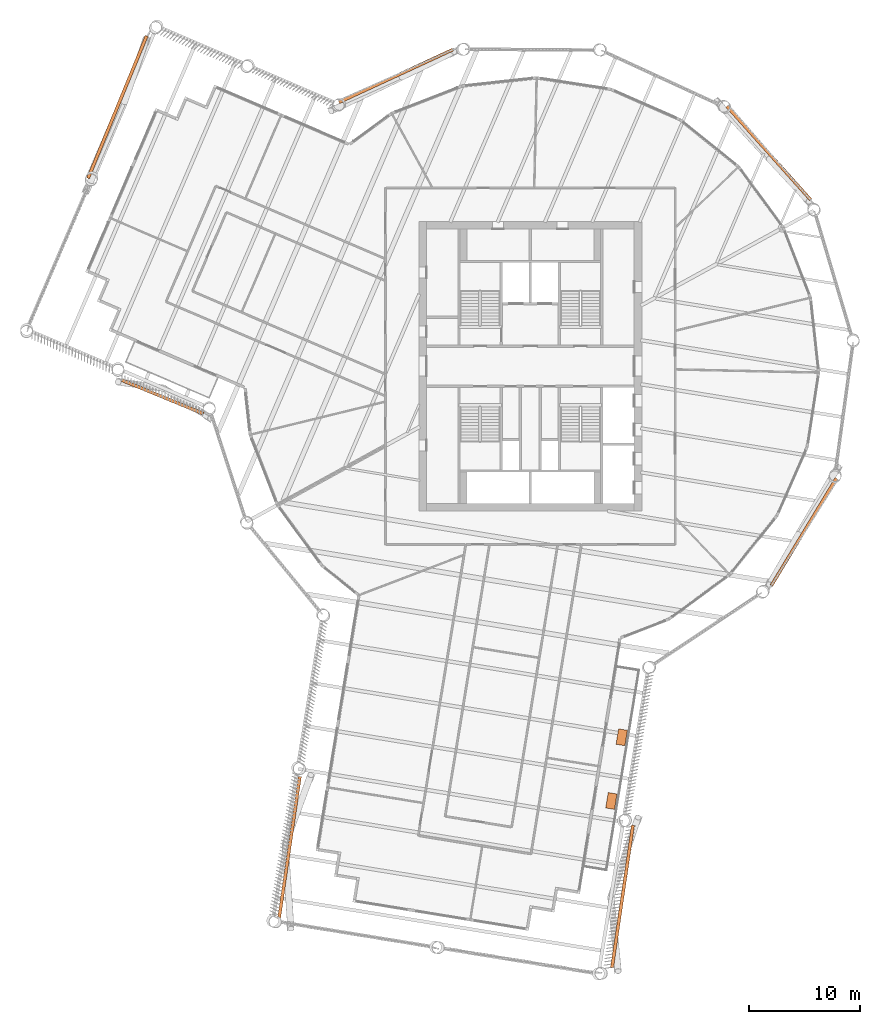
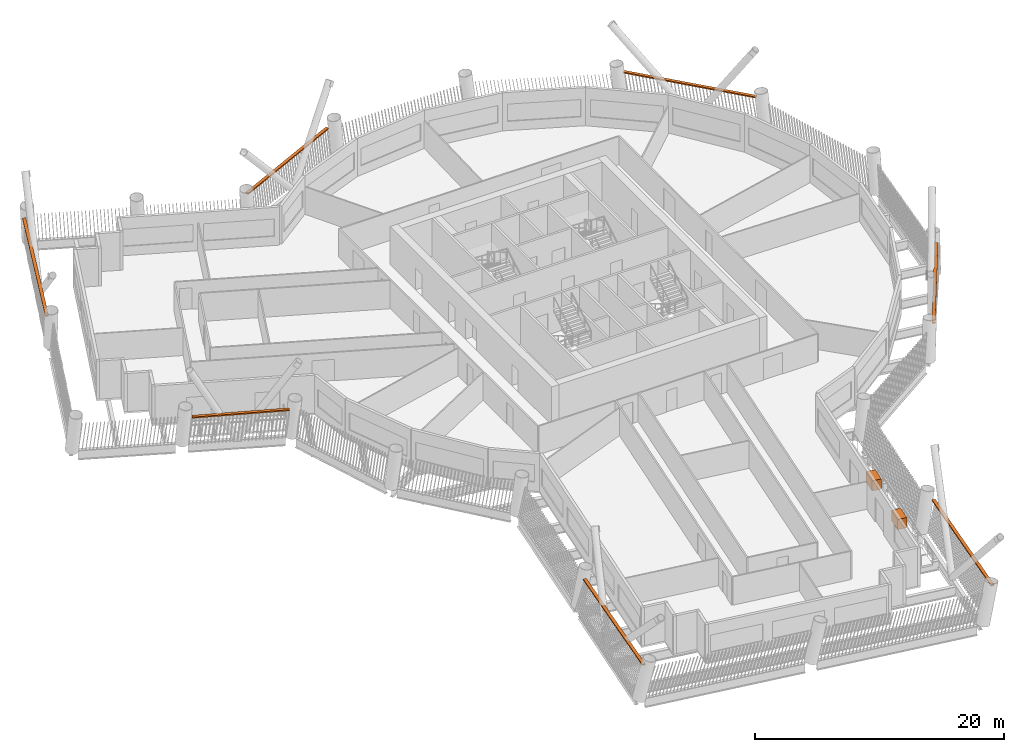
# One storey, part 22 of 22: 9 proxies.
"""IFC4 building model written with IfcOpenShell, lengths in metres."""

from ifc_helpers import new_model, si_unit, direction, frame, origin, origin_2d, place, context, subcontext, project, spatial, rectangle, extrude, material, type_object, element, save


model = new_model("IFC4")

# Units and contexts
model_context = context("Model", 3, precision=1e-05, world=origin(), true_north=direction((0.0, 1.0)))
body_context = subcontext(model_context, "Body", "Model", "MODEL_VIEW")
ifc_project = project(units=[si_unit("LENGTHUNIT", "METRE"), si_unit("AREAUNIT", "SQUARE_METRE"), si_unit("VOLUMEUNIT", "CUBIC_METRE"), si_unit("PLANEANGLEUNIT", "RADIAN"), si_unit("MASSUNIT", "GRAM", prefix="KILO")], contexts=[model_context])

# Site, building, storey
site_placement = place(None, origin())
site = spatial("IfcSite", under=ifc_project, at=site_placement, CompositionType="ELEMENT")
building_placement = place(site_placement, origin())
building = spatial("IfcBuilding", under=site, at=building_placement, Name="Tarsis Ring Headquarters", CompositionType="ELEMENT")
storey_placement = place(building_placement, frame((0.0, 0.0, 186.60009765625)))
storey = spatial("IfcBuildingStorey", under=building, at=storey_placement, Name="L43", CompositionType="ELEMENT", Elevation=186.60009765625)

# Proxies
ifc_material_1 = material(Name="Structural steel S355", Category="steel")
building_element_proxy_type_1 = type_object("IfcBuildingElementProxyType", Name="Screen bracket plate", PredefinedType="USERDEFINED", material=ifc_material_1)
for number, where, z_axis, x_axis, name in (
    (1, (-21.6005859375, -43.1669921875, 2.949951171875), (0.0, 0.0, 1.0), (-0.145392333375, -0.989374079606, 0.0), "Screen bracket L43-02"),
    (2, (8.2685546875, -47.556396484375, 2.949951171875), (0.0, 0.0, 1.0), (0.145392316107, 0.989374082143, 0.0), "Screen bracket L43-05"),
):
    element("IfcBuildingElementProxy", number, at=place(storey_placement, frame(where, z_axis=z_axis, x_axis=x_axis)), inside=storey, type_object=building_element_proxy_type_1, Name=name, ObjectType="Bracket", PredefinedType="USERDEFINED", context=body_context, shape_type="SweptSolid", body=[
        extrude(rectangle(XDim=12.90234375, YDim=0.280029296875, at=origin_2d()), origin(), (0.0, 0.0, 1.0), 0.1201171875),
    ])
for number, where, z_axis, x_axis, name in (
    (3, (24.53662109375, -14.869384765625, 2.949951171875), (0.0, 0.0, 1.0), (0.518269225296, 0.855217522103, 0.0), "Screen bracket L43-08"),
    (4, (21.38427734375, 19.12744140625, 2.949951171875), (0.0, 0.0, 1.0), (-0.666678792244, 0.745345146876, 0.0), "Screen bracket L43-11"),
    (5, (-12.052001953125, 26.036376953125, 2.949951171875), (0.0, 0.0, 1.0), (-0.907493772462, -0.420065534104, 0.0), "Screen bracket L43-14"),
):
    element("IfcBuildingElementProxy", number, at=place(storey_placement, frame(where, z_axis=z_axis, x_axis=x_axis)), inside=storey, type_object=building_element_proxy_type_1, Name=name, ObjectType="Bracket", PredefinedType="USERDEFINED", context=body_context, shape_type="SweptSolid", body=[
        extrude(rectangle(XDim=11.248779296875, YDim=0.280029296875, at=origin_2d()), origin(), (0.0, 0.0, 1.0), 0.1201171875),
    ])
proxy_1_placement = place(storey_placement, frame((-37.03955078125, 23.238037109375, 2.949951171875), z_axis=(0.0, 0.0, 1.0), x_axis=(-0.380424860925, -0.924811832315, 0.0)))
element("IfcBuildingElementProxy", 6, at=proxy_1_placement, inside=storey, type_object=building_element_proxy_type_1, Name="Screen bracket L43-17", ObjectType="Bracket", PredefinedType="USERDEFINED", context=body_context, shape_type="SweptSolid", body=[
    extrude(rectangle(XDim=13.800048828125, YDim=0.280029296875, at=origin_2d()), origin(), (0.0, 0.0, 1.0), 0.1201171875),
])
proxy_2_placement = place(storey_placement, frame((-32.97509765625, -2.7578125, 2.949951171875), z_axis=(0.0, 0.0, 1.0), x_axis=(0.924811832315, -0.380424860925, 0.0)))
element("IfcBuildingElementProxy", 7, at=proxy_2_placement, inside=storey, type_object=building_element_proxy_type_1, Name="Screen bracket L43-20", ObjectType="Bracket", PredefinedType="USERDEFINED", context=body_context, shape_type="SweptSolid", body=[
    extrude(rectangle(XDim=7.90234375, YDim=0.280029296875, at=origin_2d()), origin(), (0.0, 0.0, 1.0), 0.1201171875),
])
ifc_material_2 = material(Name="Planter soil mix and tree")
building_element_proxy_type_2 = type_object("IfcBuildingElementProxyType", Name="Tree planter", PredefinedType="USERDEFINED", material=ifc_material_2)
for number, where, z_axis, x_axis, name in (
    (8, (7.269775390625, -38.996337890625, 0.0), (0.0, 0.0, 1.0), (0.160914843744, 0.986968293849, 0.0), "Tree planter L43-16.2"),
    (9, (8.200927734375, -33.283935546875, 0.0), (0.0, 0.0, 1.0), (0.160914843744, 0.986968293849, 0.0), "Tree planter L43-16.3"),
):
    element("IfcBuildingElementProxy", number, at=place(storey_placement, frame(where, z_axis=z_axis, x_axis=x_axis)), inside=storey, type_object=building_element_proxy_type_2, Name=name, ObjectType="Planter", PredefinedType="USERDEFINED", context=body_context, shape_type="SweptSolid", body=[
        extrude(rectangle(XDim=1.39990234375, YDim=0.800048828125, at=origin_2d()), origin(), (0.0, 0.0, 1.0), 1.0),
    ])

save(model, "model.ifc")
